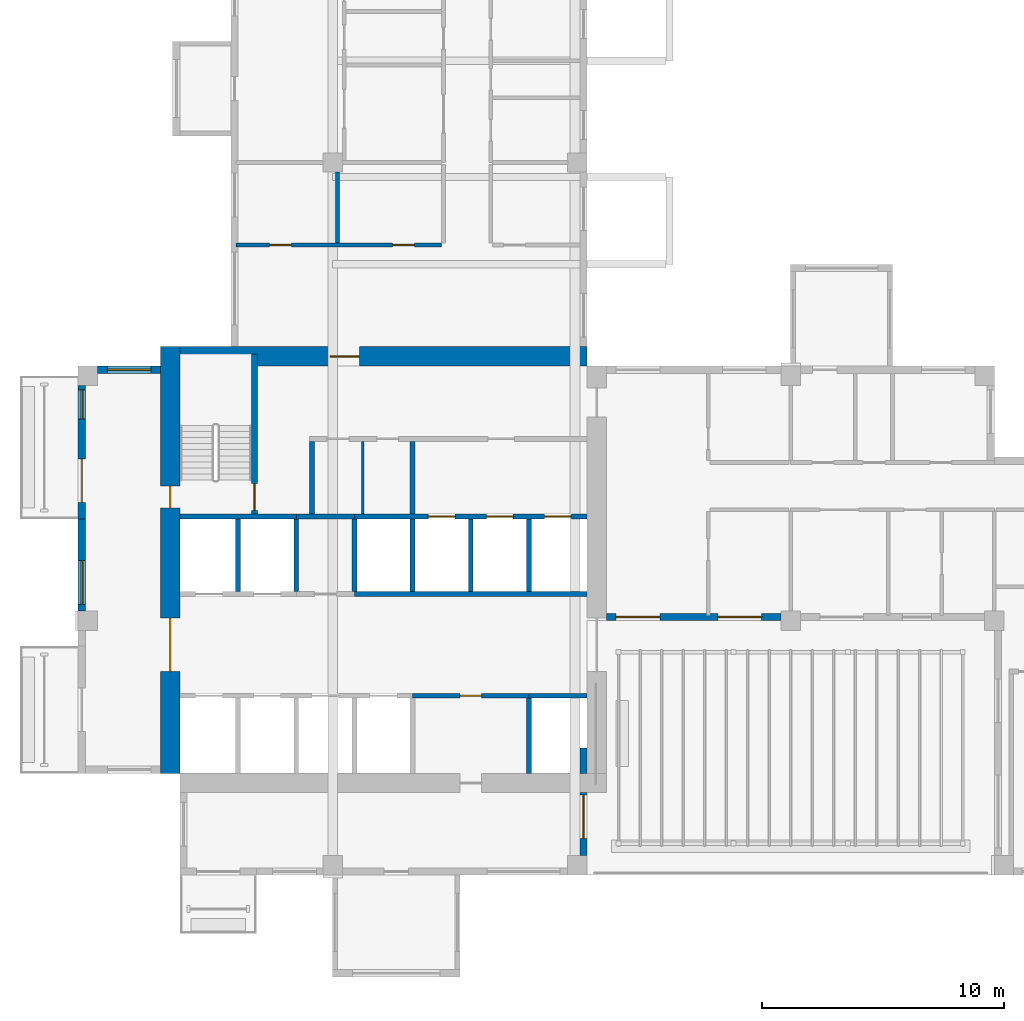
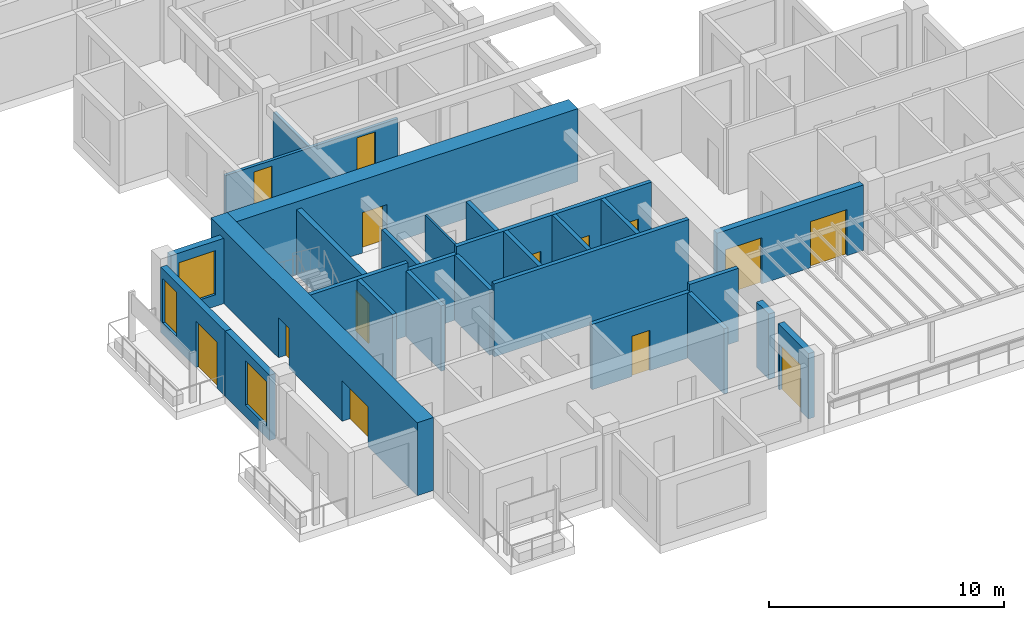
# One storey, part 4 of 13: 27 walls, 14 doors, 3 windows, 17 openings.
"""IFC4 building model written with IfcOpenShell, lengths in metres."""

from ifc_helpers import new_model, si_unit, direction, frame, frame_2d, origin, place, context, subcontext, project, spatial, rectangle, extrude, source, transform, mapped, material, layer, layer_set, type_object, element, fill, save


model = new_model("IFC4")

# Units and contexts
model_context = context("Model", 3, precision=1e-05, world=origin(), true_north=direction((0.0, 1.0)))
body_context = subcontext(model_context, "Body", "Model", "MODEL_VIEW")
ifc_project = project(units=[si_unit("LENGTHUNIT", "METRE"), si_unit("AREAUNIT", "SQUARE_METRE"), si_unit("VOLUMEUNIT", "CUBIC_METRE"), si_unit("PLANEANGLEUNIT", "RADIAN"), si_unit("MASSUNIT", "GRAM", prefix="KILO")], contexts=[model_context])

# Site, building, storey
site_placement = place(None, origin())
site = spatial("IfcSite", under=ifc_project, at=site_placement, CompositionType="ELEMENT")
building_placement = place(site_placement, origin())
building = spatial("IfcBuilding", under=site, at=building_placement, Name="Aurelian Terraces", CompositionType="ELEMENT")
storey_placement = place(building_placement, frame((0.0, 0.0, 253.8)))
storey = spatial("IfcBuildingStorey", under=building, at=storey_placement, Name="L58", CompositionType="ELEMENT", Elevation=253.8)

# Wall, openings, door, window
ifc_material_1 = material(Name="Terracotta rainscreen cladding", Category="masonry")
ifc_layer_1 = layer(ifc_material_1, 0.3)
ifc_layer_set_1 = layer_set([ifc_layer_1], Name="EW-300")
wall_type_1 = type_object("IfcWallType", Name="EW-300", PredefinedType="STANDARD", material=ifc_layer_set_1)
wall_1_placement = place(storey_placement, frame((0.15, 20.2, 0.0), z_axis=(0.0, 0.0, 1.0), x_axis=(0.0, -1.0, 0.0)))
wall_1 = element("IfcWall", 1, at=wall_1_placement, inside=storey, type_object=wall_type_1, Name="External wall L58 F24.38", PredefinedType="STANDARD", context=body_context, shape_type="SweptSolid", body=[
    extrude(rectangle(XDim=5.5, YDim=0.3, at=frame_2d((2.75, 0.0))), origin(), (0.0, 0.0, 1.0), 3.4),
])
shared_shape_1 = source(origin(), body_context, "Body", "SweptSolid", [
    extrude(rectangle(XDim=1.8, YDim=2.4, at=frame_2d((0.9, 1.2))), frame((0.0, 0.16, 0.0), z_axis=(0.0, -1.0, 0.0), x_axis=(1.0, 0.0, 0.0)), (0.0, 0.0, 1.0), 0.32),
])
opening_1_placement = place(wall_1_placement, frame((3.025, 0.0, 0.0)))
opening_1 = element("IfcOpeningElement", 2, at=opening_1_placement, cuts=wall_1, Name="Opening 85809", PredefinedType="OPENING", context=body_context, shape_type="MappedRepresentation", body=[
    mapped(shared_shape_1, transform((0.0, 0.0, 0.0), scale=1.0)),
])
shared_shape_2 = source(origin(), body_context, "Body", "SweptSolid", [
    extrude(rectangle(XDim=1.2, YDim=2.3, at=frame_2d((0.6, 1.15))), frame((0.0, 0.16, 0.0), z_axis=(0.0, -1.0, 0.0), x_axis=(1.0, 0.0, 0.0)), (0.0, 0.0, 1.0), 0.32),
])
opening_2_placement = place(wall_1_placement, frame((0.175, 0.0, 0.6)))
opening_2 = element("IfcOpeningElement", 3, at=opening_2_placement, cuts=wall_1, Name="Opening W1223", PredefinedType="OPENING", context=body_context, shape_type="MappedRepresentation", body=[
    mapped(shared_shape_2, transform((0.0, 0.0, 0.0), scale=1.0)),
])
ifc_material_2 = material(Name="Clear glazing", Category="glass")
door_type_1 = type_object("IfcDoorType", Name="BD-1800x2400", OperationType="SLIDING_TO_LEFT", PredefinedType="DOOR", material=ifc_material_2)
shared_shape_3 = source(origin(), body_context, "Body", "SweptSolid", [
    extrude(rectangle(XDim=1.8, YDim=2.4, at=frame_2d((0.9, 1.2))), frame((0.0, 0.025, 0.0), z_axis=(0.0, -1.0, 0.0), x_axis=(1.0, 0.0, 0.0)), (0.0, 0.0, 1.0), 0.05),
])
door_1_placement = place(opening_1_placement, origin())
door_1 = element("IfcDoor", 4, at=door_1_placement, inside=storey, type_object=door_type_1, Name="Balcony door L58 F24.38", OperationType="SLIDING_TO_LEFT", OverallHeight=2.4, OverallWidth=1.8, PredefinedType="DOOR", context=body_context, shape_type="MappedRepresentation", body=[
    mapped(shared_shape_3, transform((0.0, 0.0, 0.0), scale=1.0)),
])
fill(opening_1, door_1)
window_type_1 = type_object("IfcWindowType", Name="W-1200x2300", PartitioningType="SINGLE_PANEL", PredefinedType="WINDOW", material=ifc_material_2)
shared_shape_4 = source(origin(), body_context, "Body", "SweptSolid", [
    extrude(rectangle(XDim=1.2, YDim=2.3, at=frame_2d((0.6, 1.15))), frame((0.0, 0.03, 0.0), z_axis=(0.0, -1.0, 0.0), x_axis=(1.0, 0.0, 0.0)), (0.0, 0.0, 1.0), 0.06),
])
window_1_placement = place(opening_2_placement, origin())
window_1 = element("IfcWindow", 5, at=window_1_placement, inside=storey, type_object=window_type_1, Name="Window L58 L58-F24-38-0", OverallHeight=2.3, OverallWidth=1.2, PartitioningType="SINGLE_PANEL", PredefinedType="WINDOW", context=body_context, shape_type="MappedRepresentation", body=[
    mapped(shared_shape_4, transform((0.0, 0.0, 0.0), scale=1.0)),
])
fill(opening_2, window_1)

# Wall
ifc_material_3 = material(Name="Gypsum board on steel studs", Category="steel")
ifc_layer_2 = layer(ifc_material_3, 0.15)
ifc_layer_set_2 = layer_set([ifc_layer_2], Name="Partition 150")
wall_type_2 = type_object("IfcWallType", Name="Partition 150", PredefinedType="PARTITIONING", material=ifc_layer_set_2)
wall_2_placement = place(storey_placement, frame((10.7, 26.075, 0.0), z_axis=(0.0, 0.0, 1.0), x_axis=(0.0, 1.0, 0.0)))
element("IfcWall", 6, at=wall_2_placement, inside=storey, type_object=wall_type_2, Name="Partition", PredefinedType="PARTITIONING", context=body_context, shape_type="SweptSolid", body=[
    extrude(rectangle(XDim=2.926, YDim=0.15, at=frame_2d((1.463, 0.0))), origin(), (0.0, 0.0, 1.0), 2.4),
])

# Wall, openings, doors
ifc_material_4 = material(Name="Concrete fc' 70 MPa", Category="concrete")
ifc_layer_3 = layer(ifc_material_4, 0.8)
ifc_layer_set_3 = layer_set([ifc_layer_3], Name="CORE WALL 800 FC70")
wall_type_3 = type_object("IfcWallType", Name="CORE WALL 800 FC70", PredefinedType="SHEAR", material=ifc_layer_set_3)
shared_shape_5 = source(origin(), body_context, "Body", "SweptSolid", [
    extrude(rectangle(XDim=17.6, YDim=0.8, at=frame_2d((8.8, 0.0))), origin(), (0.0, 0.0, 1.0), 3.8),
])
wall_3_placement = place(storey_placement, frame((3.8, 4.2, 0.0), z_axis=(0.0, 0.0, 1.0), x_axis=(0.0, 1.0, 0.0)))
wall_3 = element("IfcWall", 7, at=wall_3_placement, inside=storey, type_object=wall_type_3, Name="Core wall W L58", PredefinedType="SHEAR", context=body_context, shape_type="MappedRepresentation", body=[
    mapped(shared_shape_5, transform((0.0, 0.0, 0.0), scale=1.0)),
])
shared_shape_6 = source(origin(), body_context, "Body", "SweptSolid", [
    extrude(rectangle(XDim=2.2, YDim=2.1, at=frame_2d((1.1, 1.05))), frame((0.0, 0.41, 0.0), z_axis=(0.0, -1.0, 0.0), x_axis=(1.0, 0.0, 0.0)), (0.0, 0.0, 1.0), 0.82),
])
opening_3_placement = place(wall_3_placement, frame((4.2, 0.0, 0.0)))
opening_3 = element("IfcOpeningElement", 8, at=opening_3_placement, cuts=wall_3, Name="Opening 66122", PredefinedType="OPENING", context=body_context, shape_type="MappedRepresentation", body=[
    mapped(shared_shape_6, transform((0.0, 0.0, 0.0), scale=1.0)),
])
shared_shape_7 = source(origin(), body_context, "Body", "SweptSolid", [
    extrude(rectangle(XDim=0.9, YDim=2.1, at=frame_2d((0.45, 1.05))), frame((0.0, 0.41, 0.0), z_axis=(0.0, -1.0, 0.0), x_axis=(1.0, 0.0, 0.0)), (0.0, 0.0, 1.0), 0.82),
])
opening_4_placement = place(wall_3_placement, frame((10.95, 0.0, 0.0)))
opening_4 = element("IfcOpeningElement", 9, at=opening_4_placement, cuts=wall_3, Name="Opening 66126", PredefinedType="OPENING", context=body_context, shape_type="MappedRepresentation", body=[
    mapped(shared_shape_7, transform((0.0, 0.0, 0.0), scale=1.0)),
])
ifc_material_5 = material(Name="Steel door leaf", Category="steel")
door_type_2 = type_object("IfcDoorType", Name="Core service door 900x2100", OperationType="SINGLE_SWING_LEFT", PredefinedType="DOOR", material=ifc_material_5)
shared_shape_8 = source(origin(), body_context, "Body", "SweptSolid", [
    extrude(rectangle(XDim=0.9, YDim=2.1, at=frame_2d((0.45, 1.05))), frame((0.0, 0.025, 0.0), z_axis=(0.0, -1.0, 0.0), x_axis=(1.0, 0.0, 0.0)), (0.0, 0.0, 1.0), 0.05),
])
door_2_placement = place(opening_4_placement, origin())
door_2 = element("IfcDoor", 10, at=door_2_placement, inside=storey, type_object=door_type_2, Name="Core door 66126", OperationType="SINGLE_SWING_LEFT", OverallHeight=2.1, OverallWidth=0.9, PredefinedType="DOOR", context=body_context, shape_type="MappedRepresentation", body=[
    mapped(shared_shape_8, transform((0.0, 0.0, 0.0), scale=1.0)),
])
fill(opening_4, door_2)
door_type_3 = type_object("IfcDoorType", Name="Core double door 2200x2100", OperationType="DOUBLE_DOOR_SINGLE_SWING", PredefinedType="DOOR", material=ifc_material_5)
shared_shape_9 = source(origin(), body_context, "Body", "SweptSolid", [
    extrude(rectangle(XDim=2.2, YDim=2.1, at=frame_2d((1.1, 1.05))), frame((0.0, 0.025, 0.0), z_axis=(0.0, -1.0, 0.0), x_axis=(1.0, 0.0, 0.0)), (0.0, 0.0, 1.0), 0.05),
])
door_3_placement = place(opening_3_placement, origin())
door_3 = element("IfcDoor", 11, at=door_3_placement, inside=storey, type_object=door_type_3, Name="Core door 66122", OperationType="DOUBLE_DOOR_SINGLE_SWING", OverallHeight=2.1, OverallWidth=2.2, PredefinedType="DOOR", context=body_context, shape_type="MappedRepresentation", body=[
    mapped(shared_shape_9, transform((0.0, 0.0, 0.0), scale=1.0)),
])
fill(opening_3, door_3)

# Wall, opening, door
shared_shape_10 = source(origin(), body_context, "Body", "SweptSolid", [
    extrude(rectangle(XDim=16.8, YDim=0.8, at=frame_2d((8.4, 0.0))), origin(), (0.0, 0.0, 1.0), 3.8),
])
wall_4_placement = place(storey_placement, frame((4.2, 21.4, 0.0), z_axis=(0.0, 0.0, 1.0), x_axis=(1.0, 0.0, 0.0)))
wall_4 = element("IfcWall", 12, at=wall_4_placement, inside=storey, type_object=wall_type_3, Name="Core wall N L58", PredefinedType="SHEAR", context=body_context, shape_type="MappedRepresentation", body=[
    mapped(shared_shape_10, transform((0.0, 0.0, 0.0), scale=1.0)),
])
shared_shape_11 = source(origin(), body_context, "Body", "SweptSolid", [
    extrude(rectangle(XDim=1.2, YDim=2.1, at=frame_2d((0.6, 1.05))), frame((0.0, 0.41, 0.0), z_axis=(0.0, -1.0, 0.0), x_axis=(1.0, 0.0, 0.0)), (0.0, 0.0, 1.0), 0.82),
])
opening_5_placement = place(wall_4_placement, frame((6.2, 0.0, 0.0)))
opening_5 = element("IfcOpeningElement", 13, at=opening_5_placement, cuts=wall_4, Name="Opening 66123", PredefinedType="OPENING", context=body_context, shape_type="MappedRepresentation", body=[
    mapped(shared_shape_11, transform((0.0, 0.0, 0.0), scale=1.0)),
])
door_type_4 = type_object("IfcDoorType", Name="Core fire door 1200x2100 right", OperationType="SINGLE_SWING_RIGHT", PredefinedType="DOOR", material=ifc_material_5)
shared_shape_12 = source(origin(), body_context, "Body", "SweptSolid", [
    extrude(rectangle(XDim=1.2, YDim=2.1, at=frame_2d((0.6, 1.05))), frame((0.0, 0.025, 0.0), z_axis=(0.0, -1.0, 0.0), x_axis=(1.0, 0.0, 0.0)), (0.0, 0.0, 1.0), 0.05),
])
door_4_placement = place(opening_5_placement, origin())
door_4 = element("IfcDoor", 14, at=door_4_placement, inside=storey, type_object=door_type_4, Name="Core door 66123", OperationType="SINGLE_SWING_RIGHT", OverallHeight=2.1, OverallWidth=1.2, PredefinedType="DOOR", context=body_context, shape_type="MappedRepresentation", body=[
    mapped(shared_shape_12, transform((0.0, 0.0, 0.0), scale=1.0)),
])
fill(opening_5, door_4)

# Wall
shared_shape_13 = source(origin(), body_context, "Body", "SweptSolid", [
    extrude(rectangle(XDim=1.05, YDim=0.3, at=frame_2d((0.525, 0.0))), origin(), (0.0, 0.0, 1.0), 3.4),
])
wall_5_placement = place(storey_placement, frame((20.85, 4.2, 0.0), z_axis=(0.0, 0.0, 1.0), x_axis=(0.0, 1.0, 0.0)))
element("IfcWall", 15, at=wall_5_placement, inside=storey, type_object=wall_type_1, Name="External wall L58 F02.4", PredefinedType="STANDARD", context=body_context, shape_type="MappedRepresentation", body=[
    mapped(shared_shape_13, transform((0.0, 0.0, 0.0), scale=1.0)),
])

# Wall, openings, doors
shared_shape_14 = source(origin(), body_context, "Body", "SweptSolid", [
    extrude(rectangle(XDim=7.2, YDim=0.3, at=frame_2d((3.6, 0.0))), origin(), (0.0, 0.0, 1.0), 3.4),
])
wall_6_placement = place(storey_placement, frame((21.8, 10.65, 0.0), z_axis=(0.0, 0.0, 1.0), x_axis=(1.0, 0.0, 0.0)))
wall_6 = element("IfcWall", 16, at=wall_6_placement, inside=storey, type_object=wall_type_1, Name="External wall L58 F03.6", PredefinedType="STANDARD", context=body_context, shape_type="MappedRepresentation", body=[
    mapped(shared_shape_14, transform((0.0, 0.0, 0.0), scale=1.0)),
])
opening_6_placement = place(wall_6_placement, frame((0.4, 0.0, 0.0)))
opening_6 = element("IfcOpeningElement", 17, at=opening_6_placement, cuts=wall_6, Name="Opening 85803", PredefinedType="OPENING", context=body_context, shape_type="MappedRepresentation", body=[
    mapped(shared_shape_1, transform((0.0, 0.0, 0.0), scale=1.0)),
])
opening_7_placement = place(wall_6_placement, frame((4.6, 0.0, 0.0)))
opening_7 = element("IfcOpeningElement", 18, at=opening_7_placement, cuts=wall_6, Name="Opening 85804", PredefinedType="OPENING", context=body_context, shape_type="MappedRepresentation", body=[
    mapped(shared_shape_1, transform((0.0, 0.0, 0.0), scale=1.0)),
])
door_5_placement = place(opening_6_placement, origin())
door_5 = element("IfcDoor", 19, at=door_5_placement, inside=storey, type_object=door_type_1, Name="Terrace door L58 L58-F03-06.1", OperationType="SLIDING_TO_LEFT", OverallHeight=2.4, OverallWidth=1.8, PredefinedType="DOOR", context=body_context, shape_type="MappedRepresentation", body=[
    mapped(shared_shape_3, transform((0.0, 0.0, 0.0), scale=1.0)),
])
fill(opening_6, door_5)
door_6_placement = place(opening_7_placement, origin())
door_6 = element("IfcDoor", 20, at=door_6_placement, inside=storey, type_object=door_type_1, Name="Terrace door L58 L58-F03-06.2", OperationType="SLIDING_TO_LEFT", OverallHeight=2.4, OverallWidth=1.8, PredefinedType="DOOR", context=body_context, shape_type="MappedRepresentation", body=[
    mapped(shared_shape_3, transform((0.0, 0.0, 0.0), scale=1.0)),
])
fill(opening_7, door_6)

# Wall, opening, door
shared_shape_15 = source(origin(), body_context, "Body", "SweptSolid", [
    extrude(rectangle(XDim=2.6, YDim=0.3, at=frame_2d((1.3, 0.0))), origin(), (0.0, 0.0, 1.0), 3.4),
])
wall_7_placement = place(storey_placement, frame((20.85, 0.8, 0.0), z_axis=(0.0, 0.0, 1.0), x_axis=(0.0, 1.0, 0.0)))
wall_7 = element("IfcWall", 21, at=wall_7_placement, inside=storey, type_object=wall_type_1, Name="External wall L58 F02.4", PredefinedType="STANDARD", context=body_context, shape_type="MappedRepresentation", body=[
    mapped(shared_shape_15, transform((0.0, 0.0, 0.0), scale=1.0)),
])
opening_8_placement = place(wall_7_placement, frame((0.7, 0.0, 0.0)))
opening_8 = element("IfcOpeningElement", 22, at=opening_8_placement, cuts=wall_7, Name="Opening 85802", PredefinedType="OPENING", context=body_context, shape_type="MappedRepresentation", body=[
    mapped(shared_shape_1, transform((0.0, 0.0, 0.0), scale=1.0)),
])
door_7_placement = place(opening_8_placement, origin())
door_7 = element("IfcDoor", 23, at=door_7_placement, inside=storey, type_object=door_type_1, Name="Terrace door L58 L58-F02-04.1", OperationType="SLIDING_TO_LEFT", OverallHeight=2.4, OverallWidth=1.8, PredefinedType="DOOR", context=body_context, shape_type="MappedRepresentation", body=[
    mapped(shared_shape_3, transform((0.0, 0.0, 0.0), scale=1.0)),
])
fill(opening_8, door_7)

# Wall, opening, window
wall_8_placement = place(storey_placement, frame((3.4, 20.85, 0.0), z_axis=(0.0, 0.0, 1.0), x_axis=(-1.0, 0.0, 0.0)))
wall_8 = element("IfcWall", 24, at=wall_8_placement, inside=storey, type_object=wall_type_1, Name="External wall L58 F23.37", PredefinedType="STANDARD", context=body_context, shape_type="MappedRepresentation", body=[
    mapped(shared_shape_15, transform((0.0, 0.0, 0.0), scale=1.0)),
])
shared_shape_16 = source(origin(), body_context, "Body", "SweptSolid", [
    extrude(rectangle(XDim=1.8, YDim=2.3, at=frame_2d((0.9, 1.15))), frame((0.0, 0.16, 0.0), z_axis=(0.0, -1.0, 0.0), x_axis=(1.0, 0.0, 0.0)), (0.0, 0.0, 1.0), 0.32),
])
opening_9_placement = place(wall_8_placement, frame((0.4, 0.0, 0.6)))
opening_9 = element("IfcOpeningElement", 25, at=opening_9_placement, cuts=wall_8, Name="Opening W1823", PredefinedType="OPENING", context=body_context, shape_type="MappedRepresentation", body=[
    mapped(shared_shape_16, transform((0.0, 0.0, 0.0), scale=1.0)),
])
window_type_2 = type_object("IfcWindowType", Name="W-1800x2300", PartitioningType="SINGLE_PANEL", PredefinedType="WINDOW", material=ifc_material_2)
shared_shape_17 = source(origin(), body_context, "Body", "SweptSolid", [
    extrude(rectangle(XDim=1.8, YDim=2.3, at=frame_2d((0.9, 1.15))), frame((0.0, 0.03, 0.0), z_axis=(0.0, -1.0, 0.0), x_axis=(1.0, 0.0, 0.0)), (0.0, 0.0, 1.0), 0.06),
])
window_2_placement = place(opening_9_placement, origin())
window_2 = element("IfcWindow", 26, at=window_2_placement, inside=storey, type_object=window_type_2, Name="Window L58 L58-F23-37-0", OverallHeight=2.3, OverallWidth=1.8, PartitioningType="SINGLE_PANEL", PredefinedType="WINDOW", context=body_context, shape_type="MappedRepresentation", body=[
    mapped(shared_shape_17, transform((0.0, 0.0, 0.0), scale=1.0)),
])
fill(opening_9, window_2)

shared_shape_18 = source(origin(), body_context, "Body", "SweptSolid", [
    extrude(rectangle(XDim=3.8, YDim=0.3, at=frame_2d((1.9, 0.0))), origin(), (0.0, 0.0, 1.0), 3.4),
])
wall_9_placement = place(storey_placement, frame((0.15, 14.7, 0.0), z_axis=(0.0, 0.0, 1.0), x_axis=(0.0, -1.0, 0.0)))
wall_9 = element("IfcWall", 27, at=wall_9_placement, inside=storey, type_object=wall_type_1, Name="External wall L58 F24.39", PredefinedType="STANDARD", context=body_context, shape_type="MappedRepresentation", body=[
    mapped(shared_shape_18, transform((0.0, 0.0, 0.0), scale=1.0)),
])
opening_10_placement = place(wall_9_placement, frame((1.725, 0.0, 0.6)))
opening_10 = element("IfcOpeningElement", 28, at=opening_10_placement, cuts=wall_9, Name="Opening W1823", PredefinedType="OPENING", context=body_context, shape_type="MappedRepresentation", body=[
    mapped(shared_shape_16, transform((0.0, 0.0, 0.0), scale=1.0)),
])
window_3_placement = place(opening_10_placement, origin())
window_3 = element("IfcWindow", 29, at=window_3_placement, inside=storey, type_object=window_type_2, Name="Window L58 L58-F24-39-0", OverallHeight=2.3, OverallWidth=1.8, PartitioningType="SINGLE_PANEL", PredefinedType="WINDOW", context=body_context, shape_type="MappedRepresentation", body=[
    mapped(shared_shape_17, transform((0.0, 0.0, 0.0), scale=1.0)),
])
fill(opening_10, window_3)

# Walls
ifc_material_6 = material(Name="Concrete fc' 40 MPa", Category="concrete")
ifc_layer_4 = layer(ifc_material_6, 0.2)
ifc_layer_set_4 = layer_set([ifc_layer_4], Name="Lift shaft wall 200")
wall_type_4 = type_object("IfcWallType", Name="Lift shaft wall 200", PredefinedType="SOLIDWALL", material=ifc_layer_set_4)
shared_shape_19 = source(origin(), body_context, "Body", "SweptSolid", [
    extrude(rectangle(XDim=3.1, YDim=0.2, at=frame_2d((1.55, 0.0))), origin(), (0.0, 0.0, 1.0), 3.4),
])
wall_10_placement = place(storey_placement, frame((18.6, 4.2, 0.0), z_axis=(0.0, 0.0, 1.0), x_axis=(0.0, 1.0, 0.0)))
element("IfcWall", 30, at=wall_10_placement, inside=storey, type_object=wall_type_4, Name="L58 core wall CD-A6", PredefinedType="SOLIDWALL", context=body_context, shape_type="MappedRepresentation", body=[
    mapped(shared_shape_19, transform((0.0, 0.0, 0.0), scale=1.0)),
])
shared_shape_20 = source(origin(), body_context, "Body", "SweptSolid", [
    extrude(rectangle(XDim=3.0, YDim=0.2, at=frame_2d((1.5, 0.0))), origin(), (0.0, 0.0, 1.0), 3.4),
])
for number, where, z_axis, x_axis, name in (
    (31, (9.0, 11.7, 0.0), (0.0, 0.0, 1.0), (0.0, 1.0, 0.0), "L58 core wall CD-B2"),
    (32, (11.4, 11.7, 0.0), (0.0, 0.0, 1.0), (0.0, 1.0, 0.0), "L58 core wall CD-B3"),
):
    element("IfcWall", number, at=place(storey_placement, frame(where, z_axis=z_axis, x_axis=x_axis)), inside=storey, type_object=wall_type_4, Name=name, PredefinedType="SOLIDWALL", context=body_context, shape_type="MappedRepresentation", body=[
        mapped(shared_shape_20, transform((0.0, 0.0, 0.0), scale=1.0)),
    ])
shared_shape_21 = source(origin(), body_context, "Body", "SweptSolid", [
    extrude(rectangle(XDim=3.0, YDim=0.2, at=frame_2d((1.5, 0.0))), origin(), (0.0, 0.0, 1.0), 3.8),
])
for number, where, z_axis, x_axis, name in (
    (33, (6.6, 11.7, 0.0), (0.0, 0.0, 1.0), (0.0, 1.0, 0.0), "L58 core wall CD-B1"),
    (34, (13.8, 11.7, 0.0), (0.0, 0.0, 1.0), (0.0, 1.0, 0.0), "L58 core wall CD-B4"),
    (35, (16.2, 11.7, 0.0), (0.0, 0.0, 1.0), (0.0, 1.0, 0.0), "L58 core wall CD-B5"),
    (36, (18.6, 11.7, 0.0), (0.0, 0.0, 1.0), (0.0, 1.0, 0.0), "L58 core wall CD-B6"),
):
    element("IfcWall", number, at=place(storey_placement, frame(where, z_axis=z_axis, x_axis=x_axis)), inside=storey, type_object=wall_type_4, Name=name, PredefinedType="SOLIDWALL", context=body_context, shape_type="MappedRepresentation", body=[
        mapped(shared_shape_21, transform((0.0, 0.0, 0.0), scale=1.0)),
    ])
shared_shape_22 = source(origin(), body_context, "Body", "SweptSolid", [
    extrude(rectangle(XDim=9.6, YDim=0.2, at=frame_2d((4.8, 0.0))), origin(), (0.0, 0.0, 1.0), 3.8),
])
wall_11_placement = place(storey_placement, frame((11.4, 11.6, 0.0), z_axis=(0.0, 0.0, 1.0), x_axis=(1.0, 0.0, 0.0)))
element("IfcWall", 37, at=wall_11_placement, inside=storey, type_object=wall_type_4, Name="L58 core wall CF-BF3", PredefinedType="SOLIDWALL", context=body_context, shape_type="MappedRepresentation", body=[
    mapped(shared_shape_22, transform((0.0, 0.0, 0.0), scale=1.0)),
])

# Wall, openings, doors
wall_12_placement = place(storey_placement, frame((11.4, 14.8, 0.0), z_axis=(0.0, 0.0, 1.0), x_axis=(1.0, 0.0, 0.0)))
wall_12 = element("IfcWall", 38, at=wall_12_placement, inside=storey, type_object=wall_type_4, Name="L58 core wall CF-BB3", PredefinedType="SOLIDWALL", context=body_context, shape_type="MappedRepresentation", body=[
    mapped(shared_shape_22, transform((0.0, 0.0, 0.0), scale=1.0)),
])
shared_shape_23 = source(origin(), body_context, "Body", "SweptSolid", [
    extrude(rectangle(XDim=1.1, YDim=2.1, at=frame_2d((0.55, 1.05))), frame((0.0, 0.11, 0.0), z_axis=(0.0, -1.0, 0.0), x_axis=(1.0, 0.0, 0.0)), (0.0, 0.0, 1.0), 0.22),
])
opening_11_placement = place(wall_12_placement, frame((3.05, 0.0, 0.0)))
opening_11 = element("IfcOpeningElement", 39, at=opening_11_placement, cuts=wall_12, Name="Opening 66108", PredefinedType="OPENING", context=body_context, shape_type="MappedRepresentation", body=[
    mapped(shared_shape_23, transform((0.0, 0.0, 0.0), scale=1.0)),
])
opening_12_placement = place(wall_12_placement, frame((5.45, 0.0, 0.0)))
opening_12 = element("IfcOpeningElement", 40, at=opening_12_placement, cuts=wall_12, Name="Opening 66109", PredefinedType="OPENING", context=body_context, shape_type="MappedRepresentation", body=[
    mapped(shared_shape_23, transform((0.0, 0.0, 0.0), scale=1.0)),
])
opening_13_placement = place(wall_12_placement, frame((7.85, 0.0, 0.0)))
opening_13 = element("IfcOpeningElement", 41, at=opening_13_placement, cuts=wall_12, Name="Opening 66110", PredefinedType="OPENING", context=body_context, shape_type="MappedRepresentation", body=[
    mapped(shared_shape_23, transform((0.0, 0.0, 0.0), scale=1.0)),
])
ifc_material_7 = material(Name="Stainless steel", Category="steel")
door_type_5 = type_object("IfcDoorType", Name="Lift landing door 1100x2100", OperationType="SLIDING_TO_LEFT", PredefinedType="DOOR", material=ifc_material_7)
shared_shape_24 = source(origin(), body_context, "Body", "SweptSolid", [
    extrude(rectangle(XDim=1.1, YDim=2.1, at=frame_2d((0.55, 1.05))), frame((0.0, 0.025, 0.0), z_axis=(0.0, -1.0, 0.0), x_axis=(1.0, 0.0, 0.0)), (0.0, 0.0, 1.0), 0.05),
])
door_8_placement = place(opening_11_placement, origin())
door_8 = element("IfcDoor", 42, at=door_8_placement, inside=storey, type_object=door_type_5, Name="Lift landing door F1 L58", OperationType="SLIDING_TO_LEFT", OverallHeight=2.1, OverallWidth=1.1, PredefinedType="DOOR", context=body_context, shape_type="MappedRepresentation", body=[
    mapped(shared_shape_24, transform((0.0, 0.0, 0.0), scale=1.0)),
])
fill(opening_11, door_8)
door_9_placement = place(opening_12_placement, origin())
door_9 = element("IfcDoor", 43, at=door_9_placement, inside=storey, type_object=door_type_5, Name="Lift landing door F2 L58", OperationType="SLIDING_TO_LEFT", OverallHeight=2.1, OverallWidth=1.1, PredefinedType="DOOR", context=body_context, shape_type="MappedRepresentation", body=[
    mapped(shared_shape_24, transform((0.0, 0.0, 0.0), scale=1.0)),
])
fill(opening_12, door_9)
door_10_placement = place(opening_13_placement, origin())
door_10 = element("IfcDoor", 44, at=door_10_placement, inside=storey, type_object=door_type_5, Name="Lift landing door F3 L58", OperationType="SLIDING_TO_LEFT", OverallHeight=2.1, OverallWidth=1.1, PredefinedType="DOOR", context=body_context, shape_type="MappedRepresentation", body=[
    mapped(shared_shape_24, transform((0.0, 0.0, 0.0), scale=1.0)),
])
fill(opening_13, door_10)

# Walls
shared_shape_25 = source(origin(), body_context, "Body", "SweptSolid", [
    extrude(rectangle(XDim=4.8, YDim=0.2, at=frame_2d((2.4, 0.0))), origin(), (0.0, 0.0, 1.0), 3.8),
])
wall_13_placement = place(storey_placement, frame((4.2, 14.8, 0.0), z_axis=(0.0, 0.0, 1.0), x_axis=(1.0, 0.0, 0.0)))
element("IfcWall", 45, at=wall_13_placement, inside=storey, type_object=wall_type_4, Name="L58 core wall CF-BB1", PredefinedType="SOLIDWALL", context=body_context, shape_type="MappedRepresentation", body=[
    mapped(shared_shape_25, transform((0.0, 0.0, 0.0), scale=1.0)),
])
shared_shape_26 = source(origin(), body_context, "Body", "SweptSolid", [
    extrude(rectangle(XDim=2.4, YDim=0.2, at=frame_2d((1.2, 0.0))), origin(), (0.0, 0.0, 1.0), 3.4),
])
wall_14_placement = place(storey_placement, frame((9.0, 14.8, 0.0), z_axis=(0.0, 0.0, 1.0), x_axis=(1.0, 0.0, 0.0)))
element("IfcWall", 46, at=wall_14_placement, inside=storey, type_object=wall_type_4, Name="L58 core wall CF-BB2", PredefinedType="SOLIDWALL", context=body_context, shape_type="MappedRepresentation", body=[
    mapped(shared_shape_26, transform((0.0, 0.0, 0.0), scale=1.0)),
])
ifc_layer_5 = layer(ifc_material_3, 0.2)
ifc_layer_set_5 = layer_set([ifc_layer_5], Name="Core partition 200")
wall_type_5 = type_object("IfcWallType", Name="Core partition 200", PredefinedType="PARTITIONING", material=ifc_layer_set_5)
shared_shape_27 = source(origin(), body_context, "Body", "SweptSolid", [
    extrude(rectangle(XDim=3.0, YDim=0.2, at=frame_2d((1.5, 0.0))), origin(), (0.0, 0.0, 1.0), 3.4),
])
for number, where, z_axis, x_axis, name in (
    (47, (9.65, 14.9, 0.0), (0.0, 0.0, 1.0), (0.0, 1.0, 0.0), "L58 core wall CP-VEST"),
    (48, (13.8, 14.9, 0.0), (0.0, 0.0, 1.0), (0.0, 1.0, 0.0), "L58 core wall CP-FFL"),
):
    element("IfcWall", number, at=place(storey_placement, frame(where, z_axis=z_axis, x_axis=x_axis)), inside=storey, type_object=wall_type_5, Name=name, PredefinedType="PARTITIONING", context=body_context, shape_type="MappedRepresentation", body=[
        mapped(shared_shape_27, transform((0.0, 0.0, 0.0), scale=1.0)),
    ])
ifc_layer_6 = layer(ifc_material_3, 0.1)
ifc_layer_set_6 = layer_set([ifc_layer_6], Name="Core partition 100")
wall_type_6 = type_object("IfcWallType", Name="Core partition 100", PredefinedType="PARTITIONING", material=ifc_layer_set_6)
shared_shape_28 = source(origin(), body_context, "Body", "SweptSolid", [
    extrude(rectangle(XDim=3.0, YDim=0.1, at=frame_2d((1.5, 0.0))), origin(), (0.0, 0.0, 1.0), 3.4),
])
wall_15_placement = place(storey_placement, frame((11.75, 14.9, 0.0), z_axis=(0.0, 0.0, 1.0), x_axis=(0.0, 1.0, 0.0)))
element("IfcWall", 49, at=wall_15_placement, inside=storey, type_object=wall_type_6, Name="L58 core wall CP-SV1", PredefinedType="PARTITIONING", context=body_context, shape_type="MappedRepresentation", body=[
    mapped(shared_shape_28, transform((0.0, 0.0, 0.0), scale=1.0)),
])

# Wall, opening, door
shared_shape_29 = source(origin(), body_context, "Body", "SweptSolid", [
    extrude(rectangle(XDim=4.8, YDim=0.2, at=frame_2d((2.4, 0.0))), origin(), (0.0, 0.0, 1.0), 3.4),
])
wall_16_placement = place(storey_placement, frame((13.8, 7.4, 0.0), z_axis=(0.0, 0.0, 1.0), x_axis=(1.0, 0.0, 0.0)))
wall_16 = element("IfcWall", 50, at=wall_16_placement, inside=storey, type_object=wall_type_4, Name="L58 core wall CF-AF2", PredefinedType="SOLIDWALL", context=body_context, shape_type="MappedRepresentation", body=[
    mapped(shared_shape_29, transform((0.0, 0.0, 0.0), scale=1.0)),
])
shared_shape_30 = source(origin(), body_context, "Body", "SweptSolid", [
    extrude(rectangle(XDim=0.9, YDim=2.1, at=frame_2d((0.45, 1.05))), frame((0.0, 0.11, 0.0), z_axis=(0.0, -1.0, 0.0), x_axis=(1.0, 0.0, 0.0)), (0.0, 0.0, 1.0), 0.22),
])
opening_14_placement = place(wall_16_placement, frame((1.95, 0.0, 0.0)))
opening_14 = element("IfcOpeningElement", 51, at=opening_14_placement, cuts=wall_16, Name="Opening 66104", PredefinedType="OPENING", context=body_context, shape_type="MappedRepresentation", body=[
    mapped(shared_shape_30, transform((0.0, 0.0, 0.0), scale=1.0)),
])
door_type_6 = type_object("IfcDoorType", Name="Core service door 900x2100 right", OperationType="SINGLE_SWING_RIGHT", PredefinedType="DOOR", material=ifc_material_5)
door_11_placement = place(opening_14_placement, origin())
door_11 = element("IfcDoor", 52, at=door_11_placement, inside=storey, type_object=door_type_6, Name="Room door 66104", OperationType="SINGLE_SWING_RIGHT", OverallHeight=2.1, OverallWidth=0.9, PredefinedType="DOOR", context=body_context, shape_type="MappedRepresentation", body=[
    mapped(shared_shape_8, transform((0.0, 0.0, 0.0), scale=1.0)),
])
fill(opening_14, door_11)

# Wall
shared_shape_31 = source(origin(), body_context, "Body", "SweptSolid", [
    extrude(rectangle(XDim=2.4, YDim=0.2, at=frame_2d((1.2, 0.0))), origin(), (0.0, 0.0, 1.0), 3.8),
])
wall_17_placement = place(storey_placement, frame((18.6, 7.4, 0.0), z_axis=(0.0, 0.0, 1.0), x_axis=(1.0, 0.0, 0.0)))
element("IfcWall", 53, at=wall_17_placement, inside=storey, type_object=wall_type_4, Name="L58 core wall CF-AF3", PredefinedType="SOLIDWALL", context=body_context, shape_type="MappedRepresentation", body=[
    mapped(shared_shape_31, transform((0.0, 0.0, 0.0), scale=1.0)),
])

# Wall, opening, door
ifc_layer_7 = layer(ifc_material_6, 0.25)
ifc_layer_set_7 = layer_set([ifc_layer_7], Name="Stair enclosure wall 250")
wall_type_7 = type_object("IfcWallType", Name="Stair enclosure wall 250", PredefinedType="SOLIDWALL", material=ifc_layer_set_7)
shared_shape_32 = source(origin(), body_context, "Body", "SweptSolid", [
    extrude(rectangle(XDim=6.6, YDim=0.25, at=frame_2d((3.3, 0.0))), origin(), (0.0, 0.0, 1.0), 3.4),
])
wall_18_placement = place(storey_placement, frame((7.275, 14.9, 0.0), z_axis=(0.0, 0.0, 1.0), x_axis=(0.0, 1.0, 0.0)))
wall_18 = element("IfcWall", 54, at=wall_18_placement, inside=storey, type_object=wall_type_7, Name="L58 core wall ST-S1-E", PredefinedType="SOLIDWALL", context=body_context, shape_type="MappedRepresentation", body=[
    mapped(shared_shape_32, transform((0.0, 0.0, 0.0), scale=1.0)),
])
shared_shape_33 = source(origin(), body_context, "Body", "SweptSolid", [
    extrude(rectangle(XDim=1.1, YDim=2.1, at=frame_2d((0.55, 1.05))), frame((0.0, 0.135, 0.0), z_axis=(0.0, -1.0, 0.0), x_axis=(1.0, 0.0, 0.0)), (0.0, 0.0, 1.0), 0.27),
])
opening_15_placement = place(wall_18_placement, frame((0.15, 0.0, 0.0)))
opening_15 = element("IfcOpeningElement", 55, at=opening_15_placement, cuts=wall_18, Name="Opening 66111", PredefinedType="OPENING", context=body_context, shape_type="MappedRepresentation", body=[
    mapped(shared_shape_33, transform((0.0, 0.0, 0.0), scale=1.0)),
])
door_type_7 = type_object("IfcDoorType", Name="Core fire door 1100x2100", OperationType="SINGLE_SWING_LEFT", PredefinedType="DOOR", material=ifc_material_5)
door_12_placement = place(opening_15_placement, origin())
door_12 = element("IfcDoor", 56, at=door_12_placement, inside=storey, type_object=door_type_7, Name="Stair door 66111", OperationType="SINGLE_SWING_LEFT", OverallHeight=2.1, OverallWidth=1.1, PredefinedType="DOOR", context=body_context, shape_type="MappedRepresentation", body=[
    mapped(shared_shape_24, transform((0.0, 0.0, 0.0), scale=1.0)),
])
fill(opening_15, door_12)

# Wall, openings, doors
shared_shape_34 = source(origin(), body_context, "Body", "SweptSolid", [
    extrude(rectangle(XDim=8.495, YDim=0.15, at=frame_2d((4.2475, 0.0))), origin(), (0.0, 0.0, 1.0), 2.4),
])
wall_19_placement = place(storey_placement, frame((6.505, 26.0, 0.0), z_axis=(0.0, 0.0, 1.0), x_axis=(1.0, 0.0, 0.0)))
wall_19 = element("IfcWall", 57, at=wall_19_placement, inside=storey, type_object=wall_type_2, Name="Partition", PredefinedType="PARTITIONING", context=body_context, shape_type="MappedRepresentation", body=[
    mapped(shared_shape_34, transform((0.0, 0.0, 0.0), scale=1.0)),
])
shared_shape_35 = source(origin(), body_context, "Body", "SweptSolid", [
    extrude(rectangle(XDim=0.9, YDim=2.1, at=frame_2d((0.45, 1.05))), frame((0.0, 0.085, 0.0), z_axis=(0.0, -1.0, 0.0), x_axis=(1.0, 0.0, 0.0)), (0.0, 0.0, 1.0), 0.17),
])
opening_16_placement = place(wall_19_placement, frame((1.395, 0.0, 0.0)))
opening_16 = element("IfcOpeningElement", 58, at=opening_16_placement, cuts=wall_19, Name="Opening 758015", PredefinedType="OPENING", context=body_context, shape_type="MappedRepresentation", body=[
    mapped(shared_shape_35, transform((0.0, 0.0, 0.0), scale=1.0)),
])
opening_17_placement = place(wall_19_placement, frame((6.47, 0.0, 0.0)))
opening_17 = element("IfcOpeningElement", 59, at=opening_17_placement, cuts=wall_19, Name="Opening 758016", PredefinedType="OPENING", context=body_context, shape_type="MappedRepresentation", body=[
    mapped(shared_shape_35, transform((0.0, 0.0, 0.0), scale=1.0)),
])
ifc_material_8 = material(Name="Timber door leaf", Category="wood")
door_type_8 = type_object("IfcDoorType", Name="Room door 900x2100 left", OperationType="SINGLE_SWING_LEFT", PredefinedType="DOOR", material=ifc_material_8)
door_13_placement = place(opening_16_placement, origin())
door_13 = element("IfcDoor", 60, at=door_13_placement, inside=storey, type_object=door_type_8, Name="Door 758015", OperationType="SINGLE_SWING_LEFT", OverallHeight=2.1, OverallWidth=0.9, PredefinedType="DOOR", context=body_context, shape_type="MappedRepresentation", body=[
    mapped(shared_shape_8, transform((0.0, 0.0, 0.0), scale=1.0)),
])
fill(opening_16, door_13)
door_type_9 = type_object("IfcDoorType", Name="Room door 900x2100 right", OperationType="SINGLE_SWING_RIGHT", PredefinedType="DOOR", material=ifc_material_8)
door_14_placement = place(opening_17_placement, origin())
door_14 = element("IfcDoor", 61, at=door_14_placement, inside=storey, type_object=door_type_9, Name="Door 758016", OperationType="SINGLE_SWING_RIGHT", OverallHeight=2.1, OverallWidth=0.9, PredefinedType="DOOR", context=body_context, shape_type="MappedRepresentation", body=[
    mapped(shared_shape_8, transform((0.0, 0.0, 0.0), scale=1.0)),
])
fill(opening_17, door_14)

save(model, "model.ifc")
